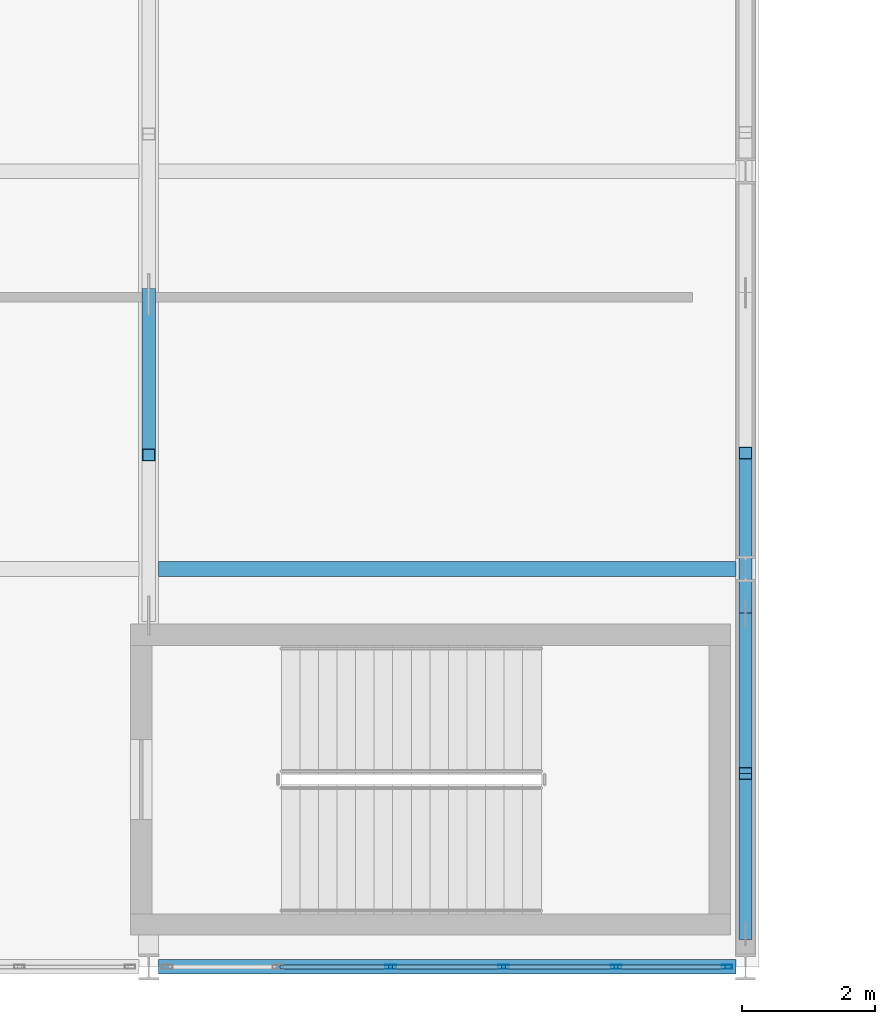
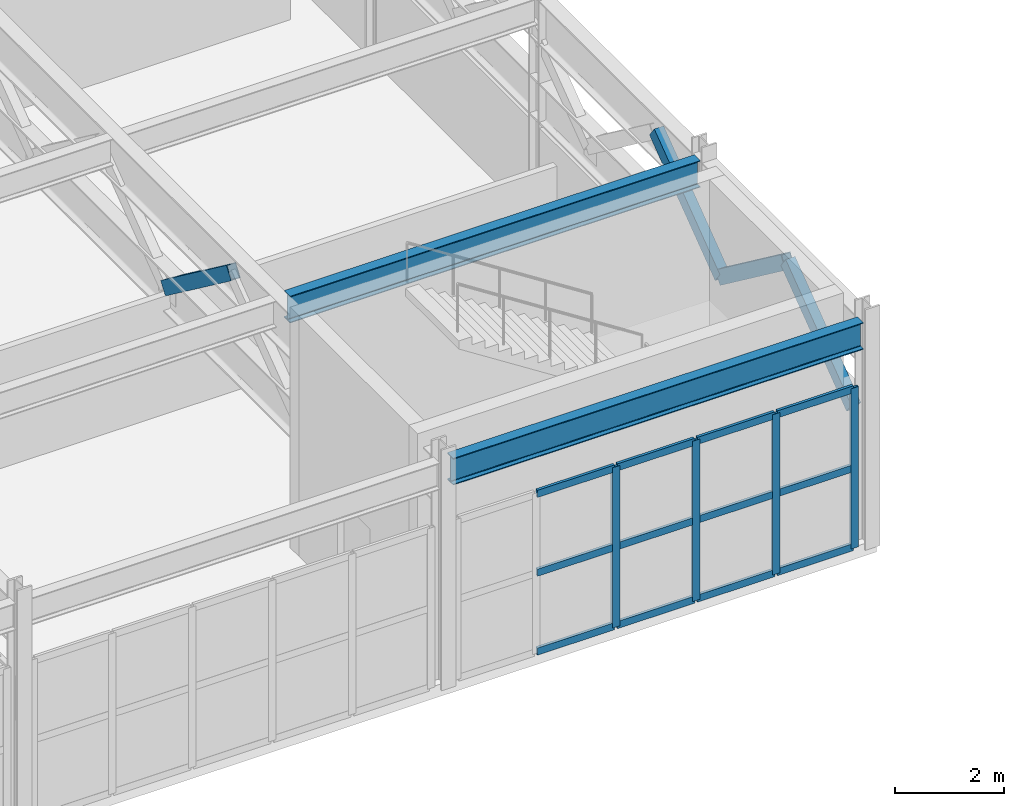
# One storey, part 40 of 210: 20 members, 2 beams, 1 element without a shape of its own.
"""IFC4 building model written with IfcOpenShell, lengths in metres."""

from ifc_helpers import new_model, si_unit, direction, frame, origin, origin_2d, place, context, subcontext, project, spatial, hollow_rectangle, i_section, extrude, material, material_profile, profile_set, type_object, element, aggregate, save


model = new_model("IFC4")

# Units and contexts
model_context = context("Model", 3, precision=1e-05, world=origin(), true_north=direction((0.0, 1.0)))
body_context = subcontext(model_context, "Body", "Model", "MODEL_VIEW")
ifc_project = project(units=[si_unit("LENGTHUNIT", "METRE"), si_unit("AREAUNIT", "SQUARE_METRE"), si_unit("VOLUMEUNIT", "CUBIC_METRE"), si_unit("PLANEANGLEUNIT", "RADIAN"), si_unit("MASSUNIT", "GRAM", prefix="KILO")], contexts=[model_context])

# Site, building, storey
site_placement = place(None, origin())
site = spatial("IfcSite", under=ifc_project, at=site_placement, CompositionType="ELEMENT")
building_placement = place(site_placement, origin())
building = spatial("IfcBuilding", under=site, at=building_placement, Name="Kaldris Quays Convention Centre", CompositionType="ELEMENT")
storey_placement = place(building_placement, frame((0.0, 0.0, 6.0)))
storey = spatial("IfcBuildingStorey", under=building, at=storey_placement, Name="L01", CompositionType="ELEMENT", Elevation=6.0)

# Curtain wall, members
ifc_material_1 = material(Name="Anodized aluminium AW-6060 and triple glazing", Category="aluminium")
curtain_wall_type = type_object("IfcCurtainWallType", Name="UNITISED CURTAIN WALL CW05", PredefinedType="NOTDEFINED", material=ifc_material_1)
curtain_wall_placement = place(storey_placement, origin())
curtain_wall = element("IfcCurtainWall", 1, at=curtain_wall_placement, inside=storey, type_object=curtain_wall_type, Name="L01 Unitised Curtain Wall CW05 71", PredefinedType="NOTDEFINED")
ifc_material_2 = material(Name="Anodized aluminium AW-6060", Category="aluminium")
ifc_material_profile_1 = material_profile(ifc_material_2, hollow_rectangle(XDim=0.06005859375, YDim=0.159912109375, WallThickness=0.00390625, at=origin_2d()), Name="RHS 160x60x4")
ifc_profile_set_1 = profile_set([ifc_material_profile_1], Name="Anodized aluminium AW-6060")
member_type_1 = type_object("IfcMemberType", Name="CURTAIN MULLION CWM1", PredefinedType="MULLION", material=ifc_profile_set_1)
member_1_placement = place(storey_placement, frame((77.64990234375, 16.0, 0.0), z_axis=(0.0, 0.0, 1.0), x_axis=(0.0, 1.0, 0.0)))
member_1 = element("IfcMember", 2, at=member_1_placement, type_object=member_type_1, Name="CW05 mullion 3", PredefinedType="MULLION", context=body_context, shape_type="SweptSolid", body=[
    extrude(hollow_rectangle(XDim=0.06005859375, YDim=0.159912109375, WallThickness=0.00390625, at=origin_2d()), origin(), (0.0, 0.0, 1.0), 3.60009765625),
])
member_2_placement = place(storey_placement, frame((79.35009765625, 16.0, 0.0), z_axis=(0.0, 0.0, 1.0), x_axis=(0.0, 1.0, 0.0)))
member_2 = element("IfcMember", 3, at=member_2_placement, type_object=member_type_1, Name="CW05 mullion 4", PredefinedType="MULLION", context=body_context, shape_type="SweptSolid", body=[
    extrude(hollow_rectangle(XDim=0.06005859375, YDim=0.159912109375, WallThickness=0.00390625, at=origin_2d()), origin(), (0.0, 0.0, 1.0), 3.60009765625),
])
member_3_placement = place(storey_placement, frame((81.050048828125, 16.0, 0.0), z_axis=(0.0, 0.0, 1.0), x_axis=(0.0, 1.0, 0.0)))
member_3 = element("IfcMember", 4, at=member_3_placement, type_object=member_type_1, Name="CW05 mullion 5", PredefinedType="MULLION", context=body_context, shape_type="SweptSolid", body=[
    extrude(hollow_rectangle(XDim=0.06005859375, YDim=0.159912109375, WallThickness=0.00390625, at=origin_2d()), origin(), (0.0, 0.0, 1.0), 3.60009765625),
])
member_4_placement = place(storey_placement, frame((82.719970703125, 16.0, 0.0), z_axis=(0.0, 0.0, 1.0), x_axis=(0.0, 1.0, 0.0)))
member_4 = element("IfcMember", 5, at=member_4_placement, type_object=member_type_1, Name="CW05 mullion 6", PredefinedType="MULLION", context=body_context, shape_type="SweptSolid", body=[
    extrude(hollow_rectangle(XDim=0.06005859375, YDim=0.159912109375, WallThickness=0.00390625, at=origin_2d()), origin(), (0.0, 0.0, 1.0), 3.60009765625),
])
ifc_material_profile_2 = material_profile(ifc_material_2, hollow_rectangle(XDim=0.06005859375, YDim=0.159912109375, WallThickness=0.00390625, at=origin_2d()), Name="RHS 160x60x4")
ifc_profile_set_2 = profile_set([ifc_material_profile_2], Name="Anodized aluminium AW-6060")
member_type_2 = type_object("IfcMemberType", Name="CURTAIN TRANSOM CWT2", PredefinedType="USERDEFINED", material=ifc_profile_set_2)
member_5_placement = place(storey_placement, frame((75.97998046875, 16.0, 0.030029296875), z_axis=(1.0, 0.0, 0.0), x_axis=(0.0, 1.0, 0.0)))
member_5 = element("IfcMember", 6, at=member_5_placement, type_object=member_type_2, Name="CW05 transom 2.1", ObjectType="TRANSOM", PredefinedType="USERDEFINED", context=body_context, shape_type="SweptSolid", body=[
    extrude(hollow_rectangle(XDim=0.06005859375, YDim=0.159912109375, WallThickness=0.00390625, at=origin_2d()), origin(), (0.0, 0.0, 1.0), 1.64013671875),
])
member_6_placement = place(storey_placement, frame((75.97998046875, 16.0, 1.800048828125), z_axis=(1.0, 0.0, 0.0), x_axis=(0.0, 1.0, 0.0)))
member_6 = element("IfcMember", 7, at=member_6_placement, type_object=member_type_2, Name="CW05 transom 2.2", ObjectType="TRANSOM", PredefinedType="USERDEFINED", context=body_context, shape_type="SweptSolid", body=[
    extrude(hollow_rectangle(XDim=0.06005859375, YDim=0.159912109375, WallThickness=0.00390625, at=origin_2d()), origin(), (0.0, 0.0, 1.0), 1.64013671875),
])
member_7_placement = place(storey_placement, frame((75.97998046875, 16.0, 3.570068359375), z_axis=(1.0, 0.0, 0.0), x_axis=(0.0, 1.0, 0.0)))
member_7 = element("IfcMember", 8, at=member_7_placement, type_object=member_type_2, Name="CW05 transom 2.3", ObjectType="TRANSOM", PredefinedType="USERDEFINED", context=body_context, shape_type="SweptSolid", body=[
    extrude(hollow_rectangle(XDim=0.06005859375, YDim=0.159912109375, WallThickness=0.00390625, at=origin_2d()), origin(), (0.0, 0.0, 1.0), 1.64013671875),
])
member_8_placement = place(storey_placement, frame((77.679931640625, 16.0, 0.030029296875), z_axis=(1.0, 0.0, 0.0), x_axis=(0.0, 1.0, 0.0)))
member_8 = element("IfcMember", 9, at=member_8_placement, type_object=member_type_2, Name="CW05 transom 3.1", ObjectType="TRANSOM", PredefinedType="USERDEFINED", context=body_context, shape_type="SweptSolid", body=[
    extrude(hollow_rectangle(XDim=0.06005859375, YDim=0.159912109375, WallThickness=0.00390625, at=origin_2d()), origin(), (0.0, 0.0, 1.0), 1.64013671875),
])
member_9_placement = place(storey_placement, frame((77.679931640625, 16.0, 1.800048828125), z_axis=(1.0, 0.0, 0.0), x_axis=(0.0, 1.0, 0.0)))
member_9 = element("IfcMember", 10, at=member_9_placement, type_object=member_type_2, Name="CW05 transom 3.2", ObjectType="TRANSOM", PredefinedType="USERDEFINED", context=body_context, shape_type="SweptSolid", body=[
    extrude(hollow_rectangle(XDim=0.06005859375, YDim=0.159912109375, WallThickness=0.00390625, at=origin_2d()), origin(), (0.0, 0.0, 1.0), 1.64013671875),
])
member_10_placement = place(storey_placement, frame((77.679931640625, 16.0, 3.570068359375), z_axis=(1.0, 0.0, 0.0), x_axis=(0.0, 1.0, 0.0)))
member_10 = element("IfcMember", 11, at=member_10_placement, type_object=member_type_2, Name="CW05 transom 3.3", ObjectType="TRANSOM", PredefinedType="USERDEFINED", context=body_context, shape_type="SweptSolid", body=[
    extrude(hollow_rectangle(XDim=0.06005859375, YDim=0.159912109375, WallThickness=0.00390625, at=origin_2d()), origin(), (0.0, 0.0, 1.0), 1.64013671875),
])
member_11_placement = place(storey_placement, frame((79.3798828125, 16.0, 0.030029296875), z_axis=(1.0, 0.0, 0.0), x_axis=(0.0, 1.0, 0.0)))
member_11 = element("IfcMember", 12, at=member_11_placement, type_object=member_type_2, Name="CW05 transom 4.1", ObjectType="TRANSOM", PredefinedType="USERDEFINED", context=body_context, shape_type="SweptSolid", body=[
    extrude(hollow_rectangle(XDim=0.06005859375, YDim=0.159912109375, WallThickness=0.00390625, at=origin_2d()), origin(), (0.0, 0.0, 1.0), 1.64013671875),
])
member_12_placement = place(storey_placement, frame((79.3798828125, 16.0, 1.800048828125), z_axis=(1.0, 0.0, 0.0), x_axis=(0.0, 1.0, 0.0)))
member_12 = element("IfcMember", 13, at=member_12_placement, type_object=member_type_2, Name="CW05 transom 4.2", ObjectType="TRANSOM", PredefinedType="USERDEFINED", context=body_context, shape_type="SweptSolid", body=[
    extrude(hollow_rectangle(XDim=0.06005859375, YDim=0.159912109375, WallThickness=0.00390625, at=origin_2d()), origin(), (0.0, 0.0, 1.0), 1.64013671875),
])
member_13_placement = place(storey_placement, frame((79.3798828125, 16.0, 3.570068359375), z_axis=(1.0, 0.0, 0.0), x_axis=(0.0, 1.0, 0.0)))
member_13 = element("IfcMember", 14, at=member_13_placement, type_object=member_type_2, Name="CW05 transom 4.3", ObjectType="TRANSOM", PredefinedType="USERDEFINED", context=body_context, shape_type="SweptSolid", body=[
    extrude(hollow_rectangle(XDim=0.06005859375, YDim=0.159912109375, WallThickness=0.00390625, at=origin_2d()), origin(), (0.0, 0.0, 1.0), 1.64013671875),
])
member_14_placement = place(storey_placement, frame((81.080078125, 16.0, 0.030029296875), z_axis=(1.0, 0.0, 0.0), x_axis=(0.0, 1.0, 0.0)))
member_14 = element("IfcMember", 15, at=member_14_placement, type_object=member_type_2, Name="CW05 transom 5.1", ObjectType="TRANSOM", PredefinedType="USERDEFINED", context=body_context, shape_type="SweptSolid", body=[
    extrude(hollow_rectangle(XDim=0.06005859375, YDim=0.159912109375, WallThickness=0.00390625, at=origin_2d()), origin(), (0.0, 0.0, 1.0), 1.60986328125),
])
member_15_placement = place(storey_placement, frame((81.080078125, 16.0, 1.800048828125), z_axis=(1.0, 0.0, 0.0), x_axis=(0.0, 1.0, 0.0)))
member_15 = element("IfcMember", 16, at=member_15_placement, type_object=member_type_2, Name="CW05 transom 5.2", ObjectType="TRANSOM", PredefinedType="USERDEFINED", context=body_context, shape_type="SweptSolid", body=[
    extrude(hollow_rectangle(XDim=0.06005859375, YDim=0.159912109375, WallThickness=0.00390625, at=origin_2d()), origin(), (0.0, 0.0, 1.0), 1.60986328125),
])
member_16_placement = place(storey_placement, frame((81.080078125, 16.0, 3.570068359375), z_axis=(1.0, 0.0, 0.0), x_axis=(0.0, 1.0, 0.0)))
member_16 = element("IfcMember", 17, at=member_16_placement, type_object=member_type_2, Name="CW05 transom 5.3", ObjectType="TRANSOM", PredefinedType="USERDEFINED", context=body_context, shape_type="SweptSolid", body=[
    extrude(hollow_rectangle(XDim=0.06005859375, YDim=0.159912109375, WallThickness=0.00390625, at=origin_2d()), origin(), (0.0, 0.0, 1.0), 1.60986328125),
])
aggregate(curtain_wall, [member_1, member_2, member_3, member_4, member_5, member_6, member_7, member_8, member_9, member_10, member_11, member_12, member_13, member_14, member_15, member_16])

# Beams
ifc_material_3 = material(Name="Steel S355J2", Category="steel")
ifc_material_profile_3 = material_profile(ifc_material_3, i_section(OverallWidth=0.219970703125, OverallDepth=0.60009765625, WebThickness=0.011962890625, FlangeThickness=0.01904296875, FilletRadius=0.02392578125, at=origin_2d()), Name="IPE 600")
ifc_profile_set_3 = profile_set([ifc_material_profile_3], Name="Steel S355J2")
beam_type = type_object("IfcBeamType", Name="STRUCTURAL BEAM BM10", PredefinedType="BEAM", material=ifc_profile_set_3)
for number, where, z_axis, x_axis, name in (
    (18, (74.14501953125, 16.0, 4.758056640625), (1.0, 0.0, 0.0), (0.0, 1.0, 0.0), "L01 Ballroom Tie Beam BM10"),
    (19, (74.14501953125, 22.0, 4.758056640625), (1.0, 0.0, 0.0), (0.0, 1.0, 0.0), "L01 Ballroom Tie Beam BM10"),
):
    element("IfcBeam", number, at=place(storey_placement, frame(where, z_axis=z_axis, x_axis=x_axis)), inside=storey, type_object=beam_type, Name=name, PredefinedType="BEAM", context=body_context, shape_type="SweptSolid", body=[
        extrude(i_section(OverallWidth=0.219970703125, OverallDepth=0.60009765625, WebThickness=0.011962890625, FlangeThickness=0.01904296875, FilletRadius=0.02392578125, at=origin_2d()), origin(), (0.0, 0.0, 1.0), 8.7099609375),
    ])

# Members
ifc_material_4 = material(Name="Steel S355J2H", Category="steel")
ifc_material_profile_4 = material_profile(ifc_material_4, hollow_rectangle(XDim=0.199951171875, YDim=0.300048828125, WallThickness=0.012451171875, at=origin_2d()), Name="RHS 300x200x12.5")
ifc_profile_set_4 = profile_set([ifc_material_profile_4], Name="Steel S355J2H")
member_type_3 = type_object("IfcMemberType", Name="STRUCTURAL MEMBER TTD1", PredefinedType="BRACE", material=ifc_profile_set_4)
member_17_placement = place(storey_placement, frame((74.0, 26.139892578125, 2.75), z_axis=(0.0, -0.801084905857, 0.598550727681), x_axis=(1.0, 0.0, 0.0)))
element("IfcMember", 20, at=member_17_placement, inside=storey, type_object=member_type_3, Name="Transfer Truss TT07 Diagonal 2", PredefinedType="BRACE", context=body_context, shape_type="SweptSolid", body=[
    extrude(hollow_rectangle(XDim=0.199951171875, YDim=0.300048828125, WallThickness=0.012451171875, at=origin_2d()), origin(), (0.0, 0.0, 1.0), 3.020751953125),
])
member_18_placement = place(storey_placement, frame((83.0, 16.5, 2.75), z_axis=(0.0, 0.800708018983, 0.599054812464), x_axis=(-1.0, 0.0, 0.0)))
element("IfcMember", 21, at=member_18_placement, inside=storey, type_object=member_type_3, Name="Transfer Truss TT08 Diagonal 1", PredefinedType="BRACE", context=body_context, shape_type="SweptSolid", body=[
    extrude(hollow_rectangle(XDim=0.199951171875, YDim=0.300048828125, WallThickness=0.012451171875, at=origin_2d()), origin(), (0.0, 0.0, 1.0), 3.018310546875),
])
member_19_placement = place(storey_placement, frame((83.0, 21.333251953125, 2.75), z_axis=(0.0, -0.800678988238, 0.599093613548), x_axis=(1.0, 0.0, 0.0)))
element("IfcMember", 22, at=member_19_placement, inside=storey, type_object=member_type_3, Name="Transfer Truss TT08 Diagonal 2", PredefinedType="BRACE", context=body_context, shape_type="SweptSolid", body=[
    extrude(hollow_rectangle(XDim=0.199951171875, YDim=0.300048828125, WallThickness=0.012451171875, at=origin_2d()), origin(), (0.0, 0.0, 1.0), 3.01806640625),
])
member_20_placement = place(storey_placement, frame((83.0, 21.333251953125, 2.75), z_axis=(0.0, 0.800708018983, 0.599054812464), x_axis=(-1.0, 0.0, 0.0)))
element("IfcMember", 23, at=member_20_placement, inside=storey, type_object=member_type_3, Name="Transfer Truss TT08 Diagonal 3", PredefinedType="BRACE", context=body_context, shape_type="SweptSolid", body=[
    extrude(hollow_rectangle(XDim=0.199951171875, YDim=0.300048828125, WallThickness=0.012451171875, at=origin_2d()), origin(), (0.0, 0.0, 1.0), 3.018310546875),
])

save(model, "model.ifc")
